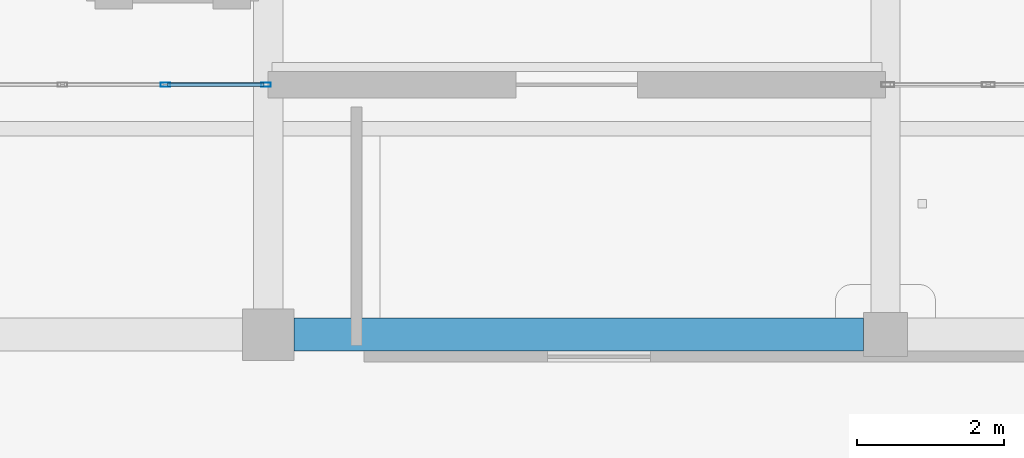
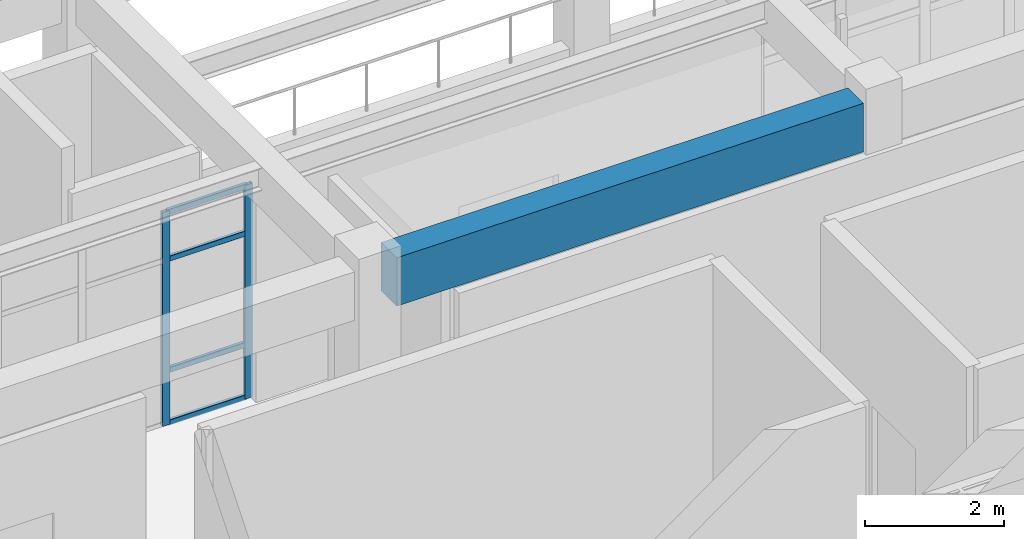
# One storey, part 10 of 98: 6 members, 1 beam, 1 element without a shape of its own.
"""IFC4 building model written with IfcOpenShell, lengths in metres."""

from ifc_helpers import new_model, si_unit, direction, frame, origin, origin_2d, place, context, subcontext, project, spatial, rectangle, hollow_rectangle, extrude, material, material_profile, profile_set, type_object, element, aggregate, save


model = new_model("IFC4")

# Units and contexts
model_context = context("Model", 3, precision=1e-05, world=origin(), true_north=direction((0.0, 1.0)))
body_context = subcontext(model_context, "Body", "Model", "MODEL_VIEW")
ifc_project = project(units=[si_unit("LENGTHUNIT", "METRE"), si_unit("AREAUNIT", "SQUARE_METRE"), si_unit("VOLUMEUNIT", "CUBIC_METRE"), si_unit("PLANEANGLEUNIT", "RADIAN"), si_unit("MASSUNIT", "GRAM", prefix="KILO")], contexts=[model_context])

# Site, building, storey
site_placement = place(None, origin())
site = spatial("IfcSite", under=ifc_project, at=site_placement, CompositionType="ELEMENT")
building_placement = place(site_placement, origin())
building = spatial("IfcBuilding", under=site, at=building_placement, Name="Canglan Escarpment Cableway Terminal", CompositionType="ELEMENT")
storey_placement = place(building_placement, frame((0.0, 0.0, 9.60009765625)))
storey = spatial("IfcBuildingStorey", under=building, at=storey_placement, Name="L02", CompositionType="ELEMENT", Elevation=9.60009765625)

# Beam
ifc_material_1 = material(Name="Concrete C40", Category="concrete")
ifc_material_profile_1 = material_profile(ifc_material_1, rectangle(XDim=0.449951171875, YDim=0.85009765625, at=origin_2d()), Name="RC 450x850")
ifc_profile_set_1 = profile_set([ifc_material_profile_1], Name="Concrete C40")
beam_type = type_object("IfcBeamType", Name="BM-RC450x850", PredefinedType="BEAM", material=ifc_profile_set_1)
beam_placement = place(storey_placement, frame((59.64990234375, 16.39990234375, 4.0849609375), z_axis=(1.0, 0.0, 0.0), x_axis=(0.0, 1.0, 0.0)))
element("IfcBeam", 1, at=beam_placement, inside=storey, type_object=beam_type, Name="Primary structural girder B-02", PredefinedType="BEAM", context=body_context, shape_type="SweptSolid", body=[
    extrude(rectangle(XDim=0.449951171875, YDim=0.85009765625, at=origin_2d()), origin(), (0.0, 0.0, 1.0), 7.75),
])

# Curtain wall, members
ifc_material_2 = material(Name="Anodized bronze aluminium and Low-E double glazing", Category="aluminium")
curtain_wall_type = type_object("IfcCurtainWallType", Name="CW-BAY-8400x3750", PredefinedType="NOTDEFINED", material=ifc_material_2)
curtain_wall_placement = place(storey_placement, origin())
curtain_wall = element("IfcCurtainWall", 2, at=curtain_wall_placement, inside=storey, type_object=curtain_wall_type, Name="Classical bay-between-piers glazed curtain wall CW-08", PredefinedType="NOTDEFINED")
ifc_material_3 = material(Name="Thermally broken anodized aluminium 6063-T6", Category="aluminium")
ifc_material_profile_2 = material_profile(ifc_material_3, hollow_rectangle(XDim=0.06005859375, YDim=0.1298828125, WallThickness=0.0029296875, InnerFilletRadius=0.0029296875, OuterFilletRadius=0.006103515625, at=origin_2d()), Name="ALU-MULL 60x130x3")
ifc_profile_set_2 = profile_set([ifc_material_profile_2], Name="Thermally broken anodized aluminium 6063-T6")
member_type_1 = type_object("IfcMemberType", Name="CWM-01", PredefinedType="MULLION", material=ifc_profile_set_2)
member_1_placement = place(storey_placement, frame((59.27001953125, 19.800048828125, 0.0), z_axis=(0.0, 0.0, 1.0), x_axis=(0.0, -1.0, 0.0)))
member_1 = element("IfcMember", 3, at=member_1_placement, type_object=member_type_1, Name="CW-08 mullion 1", PredefinedType="MULLION", context=body_context, shape_type="SweptSolid", body=[
    extrude(hollow_rectangle(XDim=0.06005859375, YDim=0.1298828125, WallThickness=0.0029296875, InnerFilletRadius=0.0029296875, OuterFilletRadius=0.006103515625, at=origin_2d()), origin(), (0.0, 0.0, 1.0), 3.7548828125),
])
member_2_placement = place(storey_placement, frame((57.89990234375, 19.800048828125, 0.0), z_axis=(0.0, 0.0, 1.0), x_axis=(0.0, -1.0, 0.0)))
member_2 = element("IfcMember", 4, at=member_2_placement, type_object=member_type_1, Name="CW-08 mullion 2", PredefinedType="MULLION", context=body_context, shape_type="SweptSolid", body=[
    extrude(hollow_rectangle(XDim=0.06005859375, YDim=0.1298828125, WallThickness=0.0029296875, InnerFilletRadius=0.0029296875, OuterFilletRadius=0.006103515625, at=origin_2d()), origin(), (0.0, 0.0, 1.0), 3.7548828125),
])
ifc_material_profile_3 = material_profile(ifc_material_3, hollow_rectangle(XDim=0.054931640625, YDim=0.094970703125, WallThickness=0.0029296875, InnerFilletRadius=0.0029296875, OuterFilletRadius=0.006103515625, at=origin_2d()), Name="ALU-TRAN 55x95x3")
ifc_profile_set_3 = profile_set([ifc_material_profile_3], Name="Thermally broken anodized aluminium 6063-T6")
member_type_2 = type_object("IfcMemberType", Name="CWT-01", PredefinedType="USERDEFINED", material=ifc_profile_set_3)
member_3_placement = place(storey_placement, frame((59.239990234375, 19.800048828125, 0.02734375), z_axis=(-1.0, 0.0, 0.0), x_axis=(0.0, -1.0, 0.0)))
member_3 = element("IfcMember", 5, at=member_3_placement, type_object=member_type_2, Name="CW-08 transom 1.1", ObjectType="TRANSOM", PredefinedType="USERDEFINED", context=body_context, shape_type="SweptSolid", body=[
    extrude(hollow_rectangle(XDim=0.054931640625, YDim=0.094970703125, WallThickness=0.0029296875, InnerFilletRadius=0.0029296875, OuterFilletRadius=0.006103515625, at=origin_2d()), origin(), (0.0, 0.0, 1.0), 1.31005859375),
])
member_4_placement = place(storey_placement, frame((59.239990234375, 19.800048828125, 0.949951171875), z_axis=(-1.0, 0.0, 0.0), x_axis=(0.0, -1.0, 0.0)))
member_4 = element("IfcMember", 6, at=member_4_placement, type_object=member_type_2, Name="CW-08 transom 1.2", ObjectType="TRANSOM", PredefinedType="USERDEFINED", context=body_context, shape_type="SweptSolid", body=[
    extrude(hollow_rectangle(XDim=0.054931640625, YDim=0.094970703125, WallThickness=0.0029296875, InnerFilletRadius=0.0029296875, OuterFilletRadius=0.006103515625, at=origin_2d()), origin(), (0.0, 0.0, 1.0), 1.31005859375),
])
member_5_placement = place(storey_placement, frame((59.239990234375, 19.800048828125, 2.90478515625), z_axis=(-1.0, 0.0, 0.0), x_axis=(0.0, -1.0, 0.0)))
member_5 = element("IfcMember", 7, at=member_5_placement, type_object=member_type_2, Name="CW-08 transom 1.3", ObjectType="TRANSOM", PredefinedType="USERDEFINED", context=body_context, shape_type="SweptSolid", body=[
    extrude(hollow_rectangle(XDim=0.054931640625, YDim=0.094970703125, WallThickness=0.0029296875, InnerFilletRadius=0.0029296875, OuterFilletRadius=0.006103515625, at=origin_2d()), origin(), (0.0, 0.0, 1.0), 1.31005859375),
])
member_6_placement = place(storey_placement, frame((59.239990234375, 19.800048828125, 3.727294921875), z_axis=(-1.0, 0.0, 0.0), x_axis=(0.0, -1.0, 0.0)))
member_6 = element("IfcMember", 8, at=member_6_placement, type_object=member_type_2, Name="CW-08 transom 1.4", ObjectType="TRANSOM", PredefinedType="USERDEFINED", context=body_context, shape_type="SweptSolid", body=[
    extrude(hollow_rectangle(XDim=0.054931640625, YDim=0.094970703125, WallThickness=0.0029296875, InnerFilletRadius=0.0029296875, OuterFilletRadius=0.006103515625, at=origin_2d()), origin(), (0.0, 0.0, 1.0), 1.31005859375),
])
aggregate(curtain_wall, [member_1, member_2, member_3, member_4, member_5, member_6])

save(model, "model.ifc")
